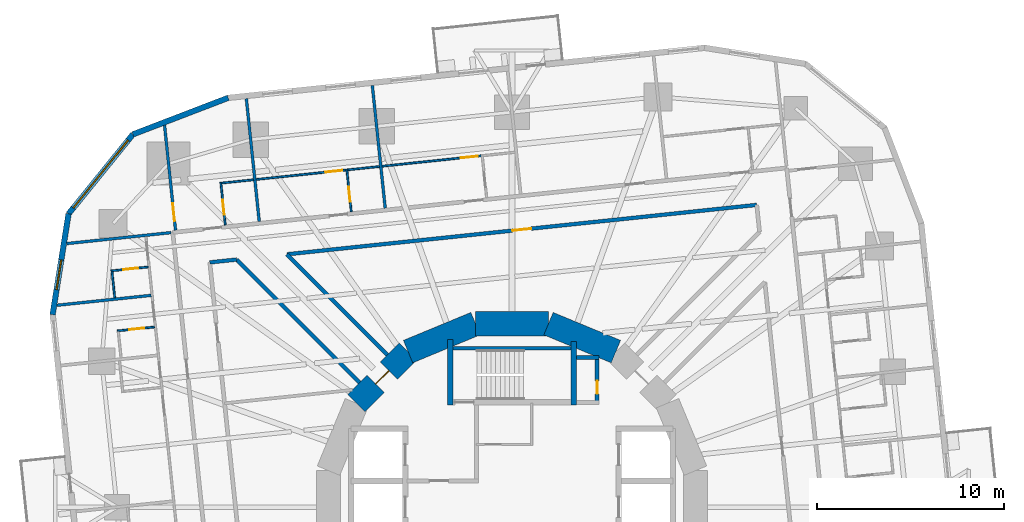
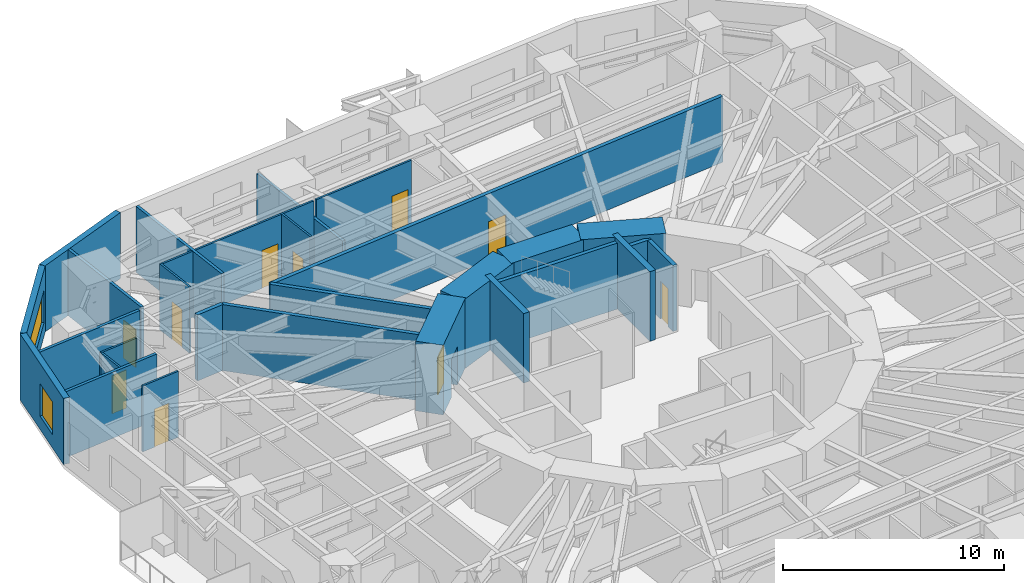
# One storey, part 10 of 14: 30 walls, 10 doors, 2 windows, 12 openings.
"""IFC4 building model written with IfcOpenShell, lengths in metres."""

from ifc_helpers import new_model, si_unit, direction, frame, frame_2d, origin, place, context, subcontext, project, spatial, rectangle, extrude, material, layer, layer_set, type_object, element, fill, save


model = new_model("IFC4")

# Units and contexts
model_context = context("Model", 3, precision=1e-05, world=origin(), true_north=direction((0.0, 1.0)))
body_context = subcontext(model_context, "Body", "Model", "MODEL_VIEW")
ifc_project = project(units=[si_unit("LENGTHUNIT", "METRE"), si_unit("AREAUNIT", "SQUARE_METRE"), si_unit("VOLUMEUNIT", "CUBIC_METRE"), si_unit("PLANEANGLEUNIT", "RADIAN"), si_unit("MASSUNIT", "GRAM", prefix="KILO")], contexts=[model_context])

# Site, building, storey
site_placement = place(None, origin())
site = spatial("IfcSite", under=ifc_project, at=site_placement, CompositionType="ELEMENT")
building_placement = place(site_placement, origin())
building = spatial("IfcBuilding", under=site, at=building_placement, Name="Nakasero Lantern House", CompositionType="ELEMENT")
storey_placement = place(building_placement, frame((0.0, 0.0, 87.449951171875)))
storey = spatial("IfcBuildingStorey", under=building, at=storey_placement, Name="L21", CompositionType="ELEMENT", Elevation=87.449951171875)

# Walls
ifc_material_1 = material(Name="Concrete C50/60", Category="concrete")
ifc_layer_1 = layer(ifc_material_1, 0.300048828125)
ifc_layer_set_1 = layer_set([ifc_layer_1], Name="Core inner wall 300")
wall_type_1 = type_object("IfcWallType", Name="Core inner wall 300", PredefinedType="SHEAR", material=ifc_layer_set_1)
wall_1_placement = place(storey_placement, frame((-3.300048828125, 5.449951171875, 0.0), z_axis=(0.0, 0.0, 1.0), x_axis=(0.0, 1.0, 0.0)))
element("IfcWall", 1, at=wall_1_placement, inside=storey, type_object=wall_type_1, Name="Core inner wall L21 SNW", PredefinedType="SHEAR", context=body_context, shape_type="SweptSolid", body=[
    extrude(rectangle(XDim=3.5, YDim=0.300048828125, at=frame_2d((1.75, 0.0))), origin(), (0.0, 0.0, 1.0), 3.85009765625),
])
wall_2_placement = place(storey_placement, frame((3.300048828125, 5.449951171875, 0.0), z_axis=(0.0, 0.0, 1.0), x_axis=(0.0, 1.0, 0.0)))
element("IfcWall", 2, at=wall_2_placement, inside=storey, type_object=wall_type_1, Name="Core inner wall L21 SNE", PredefinedType="SHEAR", context=body_context, shape_type="SweptSolid", body=[
    extrude(rectangle(XDim=3.400146484375, YDim=0.300048828125, at=frame_2d((1.7001953125, 0.0))), origin(), (0.0, 0.0, 1.0), 3.85009765625),
])
ifc_material_2 = material(Name="Concrete C50/60", Category="concrete")
ifc_layer_2 = layer(ifc_material_2, 1.300048828125)
ifc_layer_set_2 = layer_set([ifc_layer_2], Name="Core wall 1300")
wall_type_2 = type_object("IfcWallType", Name="Core wall 1300", PredefinedType="SHEAR", material=ifc_layer_set_2)
for number, where, z_axis, x_axis, name in (
    (3, (5.5556640625, 8.314697265625, 0.0), (0.0, 0.0, 1.0), (-0.923876507187, 0.382690736062, 0.0), "Core wall L21 facet 3"),
    (4, (1.950927734375, 9.807861328125, 0.0), (0.0, 0.0, 1.0), (-1.0, 0.0, 0.0), "Core wall L21 facet 4"),
    (5, (-1.950927734375, 9.807861328125, 0.0), (0.0, 0.0, 1.0), (-0.923876507187, -0.382690736062, 0.0), "Core wall L21 facet 5"),
):
    element("IfcWall", number, at=place(storey_placement, frame(where, z_axis=z_axis, x_axis=x_axis)), inside=storey, type_object=wall_type_2, Name=name, PredefinedType="SHEAR", context=body_context, shape_type="SweptSolid", body=[
        extrude(rectangle(XDim=3.90185546875, YDim=1.300048828125, at=frame_2d((1.950927734375, 0.0))), origin(), (0.0, 0.0, 1.0), 3.85009765625),
    ])

# Wall, opening, door
wall_3_placement = place(storey_placement, frame((-5.5556640625, 8.314697265625, 0.0), z_axis=(0.0, 0.0, 1.0), x_axis=(-0.707106781187, -0.707106781187, 0.0)))
wall_3 = element("IfcWall", 6, at=wall_3_placement, inside=storey, type_object=wall_type_2, Name="Core wall L21 facet 6", PredefinedType="SHEAR", context=body_context, shape_type="SweptSolid", body=[
    extrude(rectangle(XDim=3.90185546875, YDim=1.300048828125, at=frame_2d((1.950927734375, 0.0))), origin(), (0.0, 0.0, 1.0), 3.85009765625),
])
opening_1_placement = place(wall_3_placement, frame((1.450927734375, 0.0, 0.0)))
opening_1 = element("IfcOpeningElement", 7, at=opening_1_placement, cuts=wall_3, Name="Opening D05", PredefinedType="OPENING", context=body_context, shape_type="SweptSolid", body=[
    extrude(rectangle(XDim=1.0, YDim=2.10009765625, at=frame_2d((0.5, 1.050048828125))), frame((0.0, 0.669921875, 0.0), z_axis=(0.0, -1.0, 0.0), x_axis=(1.0, 0.0, 0.0)), (0.0, 0.0, 1.0), 1.340087890625),
])
ifc_material_3 = material(Name="Timber C24", Category="wood")
door_type_1 = type_object("IfcDoorType", Name="Core door FD60S 1000", OperationType="SINGLE_SWING_LEFT", PredefinedType="DOOR", material=ifc_material_3)
door_1_placement = place(opening_1_placement, origin())
door_1 = element("IfcDoor", 8, at=door_1_placement, inside=storey, type_object=door_type_1, Name="Door L21 D-CORE06", OperationType="SINGLE_SWING_LEFT", OverallHeight=2.10009765625, OverallWidth=1.0, PredefinedType="DOOR", context=body_context, shape_type="SweptSolid", body=[
    extrude(rectangle(XDim=1.0, YDim=2.10009765625, at=frame_2d((0.5, 1.050048828125))), frame((0.0, 0.02490234375, 0.0), z_axis=(0.0, -1.0, 0.0), x_axis=(1.0, 0.0, 0.0)), (0.0, 0.0, 1.0), 0.050048828125),
])
fill(opening_1, door_1)

ifc_material_4 = material(Name="Blockwork", Category="masonry")
ifc_layer_3 = layer(ifc_material_4, 0.199951171875)
ifc_layer_set_3 = layer_set([ifc_layer_3], Name="Corridor wall 200")
wall_type_3 = type_object("IfcWallType", Name="Corridor wall 200", PredefinedType="PARTITIONING", material=ifc_layer_set_3)
wall_4_placement = place(storey_placement, frame((13.0830078125, 16.156005859375, 0.0), z_axis=(0.0, 0.0, 1.0), x_axis=(-0.994521862783, -0.104528773298, 0.0)))
wall_4 = element("IfcWall", 9, at=wall_4_placement, inside=storey, type_object=wall_type_3, Name="Corridor wall L21 IW1-0", PredefinedType="PARTITIONING", context=body_context, shape_type="SweptSolid", body=[
    extrude(rectangle(XDim=25.2529296875, YDim=0.199951171875, at=frame_2d((12.62646484375, 0.0))), origin(), (0.0, 0.0, 1.0), 3.650146484375),
])
opening_2_placement = place(wall_4_placement, frame((12.12646484375, 0.0, 0.0)))
opening_2 = element("IfcOpeningElement", 10, at=opening_2_placement, cuts=wall_4, Name="Opening D07", PredefinedType="OPENING", context=body_context, shape_type="SweptSolid", body=[
    extrude(rectangle(XDim=1.0, YDim=2.10009765625, at=frame_2d((0.5, 1.050048828125))), frame((0.0, 0.119873046875, 0.0), z_axis=(0.0, -1.0, 0.0), x_axis=(1.0, 0.0, 0.0)), (0.0, 0.0, 1.0), 0.239990234375),
])
ifc_material_5 = material(Name="Timber C24", Category="wood")
door_type_2 = type_object("IfcDoorType", Name="Room door FD30S 1000", OperationType="SINGLE_SWING_LEFT", PredefinedType="DOOR", material=ifc_material_5)
door_2_placement = place(opening_2_placement, origin())
door_2 = element("IfcDoor", 11, at=door_2_placement, inside=storey, type_object=door_type_2, Name="Door L21 DI3", OperationType="SINGLE_SWING_RIGHT", OverallHeight=2.10009765625, OverallWidth=1.0, PredefinedType="DOOR", context=body_context, shape_type="SweptSolid", body=[
    extrude(rectangle(XDim=1.0, YDim=2.10009765625, at=frame_2d((0.5, 1.050048828125))), frame((0.0, 0.02490234375, 0.0), z_axis=(0.0, -1.0, 0.0), x_axis=(1.0, 0.0, 0.0)), (0.0, 0.0, 1.0), 0.050048828125),
])
fill(opening_2, door_2)

# Walls
wall_5_placement = place(storey_placement, frame((-14.718994140625, 13.23388671875, 0.0), z_axis=(0.0, 0.0, 1.0), x_axis=(-0.994533193131, -0.104420916302, 0.0)))
element("IfcWall", 12, at=wall_5_placement, inside=storey, type_object=wall_type_3, Name="Corridor wall L21 IW1-1", PredefinedType="PARTITIONING", context=body_context, shape_type="SweptSolid", body=[
    extrude(rectangle(XDim=1.44482421875, YDim=0.199951171875, at=frame_2d((0.722412109375, 0.0))), origin(), (0.0, 0.0, 1.0), 3.650146484375),
])
wall_6_placement = place(storey_placement, frame((-8.13720703125, 6.65234375, 0.0), z_axis=(0.0, 0.0, 1.0), x_axis=(-0.707119895793, 0.707093666337, 0.0)))
element("IfcWall", 13, at=wall_6_placement, inside=storey, type_object=wall_type_3, Name="Corridor wall L21 PS06a", PredefinedType="PARTITIONING", context=body_context, shape_type="SweptSolid", body=[
    extrude(rectangle(XDim=9.307861328125, YDim=0.199951171875, at=frame_2d((4.65380859375, 0.0))), origin(), (0.0, 0.0, 1.0), 3.650146484375),
])
wall_7_placement = place(storey_placement, frame((-6.65234375, 8.13720703125, 0.0), z_axis=(0.0, 0.0, 1.0), x_axis=(-0.707106781187, 0.707106781187, 0.0)))
element("IfcWall", 14, at=wall_7_placement, inside=storey, type_object=wall_type_3, Name="Corridor wall L21 PS06b", PredefinedType="PARTITIONING", context=body_context, shape_type="SweptSolid", body=[
    extrude(rectangle(XDim=7.607177734375, YDim=0.199951171875, at=frame_2d((3.8037109375, 0.0))), origin(), (0.0, 0.0, 1.0), 3.650146484375),
])

# Wall, opening, door
ifc_material_6 = material(Name="Blockwork", Category="masonry")
ifc_layer_4 = layer(ifc_material_6, 0.10009765625)
ifc_layer_set_4 = layer_set([ifc_layer_4], Name="En-suite wall 100")
wall_type_4 = type_object("IfcWallType", Name="En-suite wall 100", PredefinedType="PARTITIONING", material=ifc_layer_set_4)
wall_8_placement = place(storey_placement, frame((-8.592529296875, 15.788330078125, 0.0), z_axis=(0.0, 0.0, 1.0), x_axis=(-0.104452703326, 0.994529855142, 0.0)))
wall_8 = element("IfcWall", 15, at=wall_8_placement, inside=storey, type_object=wall_type_4, Name="En-suite wall L21 ES1-06", PredefinedType="PARTITIONING", context=body_context, shape_type="SweptSolid", body=[
    extrude(rectangle(XDim=2.300048828125, YDim=0.10009765625, at=frame_2d((1.14990234375, 0.0))), origin(), (0.0, 0.0, 1.0), 3.650146484375),
])
opening_3_placement = place(wall_8_placement, frame((0.550048828125, 0.0, 0.0)))
opening_3 = element("IfcOpeningElement", 16, at=opening_3_placement, cuts=wall_8, Name="Opening D02", PredefinedType="OPENING", context=body_context, shape_type="SweptSolid", body=[
    extrude(rectangle(XDim=0.800048828125, YDim=2.10009765625, at=frame_2d((0.39990234375, 1.050048828125))), frame((0.0, 0.070068359375, 0.0), z_axis=(0.0, -1.0, 0.0), x_axis=(1.0, 0.0, 0.0)), (0.0, 0.0, 1.0), 0.14013671875),
])
ifc_material_7 = material(Name="Timber C24", Category="wood")
door_type_3 = type_object("IfcDoorType", Name="En-suite door 800", OperationType="SINGLE_SWING_RIGHT", PredefinedType="DOOR", material=ifc_material_7)
door_3_placement = place(opening_3_placement, origin())
door_3 = element("IfcDoor", 17, at=door_3_placement, inside=storey, type_object=door_type_3, Name="Door L21 DE1-06", OperationType="SINGLE_SWING_LEFT", OverallHeight=2.10009765625, OverallWidth=0.800048828125, PredefinedType="DOOR", context=body_context, shape_type="SweptSolid", body=[
    extrude(rectangle(XDim=0.800048828125, YDim=2.10009765625, at=frame_2d((0.39990234375, 1.050048828125))), frame((0.0, 0.02490234375, 0.0), z_axis=(0.0, -1.0, 0.0), x_axis=(1.0, 0.0, 0.0)), (0.0, 0.0, 1.0), 0.050048828125),
])
fill(opening_3, door_3)

# Wall
wall_9_placement = place(storey_placement, frame((-7.087158203125, 18.208984375, 0.0), z_axis=(0.0, 0.0, 1.0), x_axis=(-0.994519608382, -0.104550220202, 0.0)))
element("IfcWall", 18, at=wall_9_placement, inside=storey, type_object=wall_type_4, Name="En-suite wall L21 EE1-06", PredefinedType="PARTITIONING", context=body_context, shape_type="SweptSolid", body=[
    extrude(rectangle(XDim=1.699951171875, YDim=0.10009765625, at=frame_2d((0.85009765625, 0.0))), origin(), (0.0, 0.0, 1.0), 3.650146484375),
])

# Wall, opening, door
wall_10_placement = place(storey_placement, frame((-15.326416015625, 15.08056640625, 0.0), z_axis=(0.0, 0.0, 1.0), x_axis=(-0.104557694553, 0.994518822602, 0.0)))
wall_10 = element("IfcWall", 19, at=wall_10_placement, inside=storey, type_object=wall_type_4, Name="En-suite wall L21 ES1-08", PredefinedType="PARTITIONING", context=body_context, shape_type="SweptSolid", body=[
    extrude(rectangle(XDim=2.300048828125, YDim=0.10009765625, at=frame_2d((1.14990234375, 0.0))), origin(), (0.0, 0.0, 1.0), 3.650146484375),
])
opening_4_placement = place(wall_10_placement, frame((0.550048828125, 0.0, 0.0)))
opening_4 = element("IfcOpeningElement", 20, at=opening_4_placement, cuts=wall_10, Name="Opening D02", PredefinedType="OPENING", context=body_context, shape_type="SweptSolid", body=[
    extrude(rectangle(XDim=0.800048828125, YDim=2.10009765625, at=frame_2d((0.39990234375, 1.050048828125))), frame((0.0, 0.070068359375, 0.0), z_axis=(0.0, -1.0, 0.0), x_axis=(1.0, 0.0, 0.0)), (0.0, 0.0, 1.0), 0.14013671875),
])
door_4_placement = place(opening_4_placement, origin())
door_4 = element("IfcDoor", 21, at=door_4_placement, inside=storey, type_object=door_type_3, Name="Door L21 DE1-08", OperationType="SINGLE_SWING_LEFT", OverallHeight=2.10009765625, OverallWidth=0.800048828125, PredefinedType="DOOR", context=body_context, shape_type="SweptSolid", body=[
    extrude(rectangle(XDim=0.800048828125, YDim=2.10009765625, at=frame_2d((0.39990234375, 1.050048828125))), frame((0.0, 0.02490234375, 0.0), z_axis=(0.0, -1.0, 0.0), x_axis=(1.0, 0.0, 0.0)), (0.0, 0.0, 1.0), 0.050048828125),
])
fill(opening_4, door_4)

# Wall
wall_11_placement = place(storey_placement, frame((-13.8212890625, 17.501220703125, 0.0), z_axis=(0.0, 0.0, 1.0), x_axis=(-0.994519608382, -0.104550220202, 0.0)))
element("IfcWall", 22, at=wall_11_placement, inside=storey, type_object=wall_type_4, Name="En-suite wall L21 EE1-08", PredefinedType="PARTITIONING", context=body_context, shape_type="SweptSolid", body=[
    extrude(rectangle(XDim=1.699951171875, YDim=0.10009765625, at=frame_2d((0.85009765625, 0.0))), origin(), (0.0, 0.0, 1.0), 3.650146484375),
])

# Wall, opening, door
wall_12_placement = place(storey_placement, frame((-19.448486328125, 12.837158203125, 0.0), z_axis=(0.0, 0.0, 1.0), x_axis=(-0.99452550138, -0.104494148666, 0.0)))
wall_12 = element("IfcWall", 23, at=wall_12_placement, inside=storey, type_object=wall_type_4, Name="En-suite wall L21 ES2-00", PredefinedType="PARTITIONING", context=body_context, shape_type="SweptSolid", body=[
    extrude(rectangle(XDim=2.0, YDim=0.10009765625, at=frame_2d((1.0, 0.0))), origin(), (0.0, 0.0, 1.0), 3.650146484375),
])
opening_5_placement = place(wall_12_placement, frame((0.550048828125, 0.0, 0.0)))
opening_5 = element("IfcOpeningElement", 24, at=opening_5_placement, cuts=wall_12, Name="Opening D02", PredefinedType="OPENING", context=body_context, shape_type="SweptSolid", body=[
    extrude(rectangle(XDim=0.800048828125, YDim=2.10009765625, at=frame_2d((0.39990234375, 1.050048828125))), frame((0.0, 0.070068359375, 0.0), z_axis=(0.0, -1.0, 0.0), x_axis=(1.0, 0.0, 0.0)), (0.0, 0.0, 1.0), 0.14013671875),
])
door_5_placement = place(opening_5_placement, origin())
door_5 = element("IfcDoor", 25, at=door_5_placement, inside=storey, type_object=door_type_3, Name="Door L21 DE2-00", OperationType="SINGLE_SWING_LEFT", OverallHeight=2.10009765625, OverallWidth=0.800048828125, PredefinedType="DOOR", context=body_context, shape_type="SweptSolid", body=[
    extrude(rectangle(XDim=0.800048828125, YDim=2.10009765625, at=frame_2d((0.39990234375, 1.050048828125))), frame((0.0, 0.02490234375, 0.0), z_axis=(0.0, -1.0, 0.0), x_axis=(1.0, 0.0, 0.0)), (0.0, 0.0, 1.0), 0.050048828125),
])
fill(opening_5, door_5)

# Wall
wall_13_placement = place(storey_placement, frame((-21.382568359375, 12.58349609375, 0.0), z_axis=(0.0, 0.0, 1.0), x_axis=(0.104630319263, -0.994511184598, 0.0)))
element("IfcWall", 26, at=wall_13_placement, inside=storey, type_object=wall_type_4, Name="En-suite wall L21 EE2-00", PredefinedType="PARTITIONING", context=body_context, shape_type="SweptSolid", body=[
    extrude(rectangle(XDim=1.39990234375, YDim=0.10009765625, at=frame_2d((0.699951171875, 0.0))), origin(), (0.0, 0.0, 1.0), 3.650146484375),
])

# Wall, opening, door
wall_14_placement = place(storey_placement, frame((-19.111328125, 9.62939453125, 0.0), z_axis=(0.0, 0.0, 1.0), x_axis=(-0.99452550138, -0.104494148666, 0.0)))
wall_14 = element("IfcWall", 27, at=wall_14_placement, inside=storey, type_object=wall_type_4, Name="En-suite wall L21 ES2-01", PredefinedType="PARTITIONING", context=body_context, shape_type="SweptSolid", body=[
    extrude(rectangle(XDim=2.0, YDim=0.10009765625, at=frame_2d((1.0, 0.0))), origin(), (0.0, 0.0, 1.0), 3.650146484375),
])
opening_6_placement = place(wall_14_placement, frame((0.550048828125, 0.0, 0.0)))
opening_6 = element("IfcOpeningElement", 28, at=opening_6_placement, cuts=wall_14, Name="Opening D02", PredefinedType="OPENING", context=body_context, shape_type="SweptSolid", body=[
    extrude(rectangle(XDim=0.800048828125, YDim=2.10009765625, at=frame_2d((0.39990234375, 1.050048828125))), frame((0.0, 0.070068359375, 0.0), z_axis=(0.0, -1.0, 0.0), x_axis=(1.0, 0.0, 0.0)), (0.0, 0.0, 1.0), 0.14013671875),
])
door_6_placement = place(opening_6_placement, origin())
door_6 = element("IfcDoor", 29, at=door_6_placement, inside=storey, type_object=door_type_3, Name="Door L21 DE2-01", OperationType="SINGLE_SWING_LEFT", OverallHeight=2.10009765625, OverallWidth=0.800048828125, PredefinedType="DOOR", context=body_context, shape_type="SweptSolid", body=[
    extrude(rectangle(XDim=0.800048828125, YDim=2.10009765625, at=frame_2d((0.39990234375, 1.050048828125))), frame((0.0, 0.02490234375, 0.0), z_axis=(0.0, -1.0, 0.0), x_axis=(1.0, 0.0, 0.0)), (0.0, 0.0, 1.0), 0.050048828125),
])
fill(opening_6, door_6)

wall_15_placement = place(storey_placement, frame((-1.639892578125, 18.781494140625, 0.0), z_axis=(0.0, 0.0, 1.0), x_axis=(-0.994521261767, -0.10453449141, 0.0)))
wall_15 = element("IfcWall", 30, at=wall_15_placement, inside=storey, type_object=wall_type_4, Name="En-suite wall L21 EL1-04", PredefinedType="PARTITIONING", context=body_context, shape_type="SweptSolid", body=[
    extrude(rectangle(XDim=5.327392578125, YDim=0.10009765625, at=frame_2d((2.66357421875, 0.0))), origin(), (0.0, 0.0, 1.0), 3.650146484375),
])
opening_7_placement = place(wall_15_placement, frame((0.199951171875, 0.0, 0.0)))
opening_7 = element("IfcOpeningElement", 31, at=opening_7_placement, cuts=wall_15, Name="Opening D17", PredefinedType="OPENING", context=body_context, shape_type="SweptSolid", body=[
    extrude(rectangle(XDim=0.89990234375, YDim=2.10009765625, at=frame_2d((0.449951171875, 1.050048828125))), frame((0.0, 0.070068359375, 0.0), z_axis=(0.0, -1.0, 0.0), x_axis=(1.0, 0.0, 0.0)), (0.0, 0.0, 1.0), 0.14013671875),
])
ifc_material_8 = material(Name="Timber C24", Category="wood")
door_type_4 = type_object("IfcDoorType", Name="Bedroom door FD30S 900", OperationType="SINGLE_SWING_LEFT", PredefinedType="DOOR", material=ifc_material_8)
door_7_placement = place(opening_7_placement, origin())
door_7 = element("IfcDoor", 32, at=door_7_placement, inside=storey, type_object=door_type_4, Name="Door L21 DL1-04", OperationType="SINGLE_SWING_LEFT", OverallHeight=2.10009765625, OverallWidth=0.89990234375, PredefinedType="DOOR", context=body_context, shape_type="SweptSolid", body=[
    extrude(rectangle(XDim=0.89990234375, YDim=2.10009765625, at=frame_2d((0.449951171875, 1.050048828125))), frame((0.0, 0.02490234375, 0.0), z_axis=(0.0, -1.0, 0.0), x_axis=(1.0, 0.0, 0.0)), (0.0, 0.0, 1.0), 0.050048828125),
])
fill(opening_7, door_7)

wall_16_placement = place(storey_placement, frame((-8.87744140625, 18.020751953125, 0.0), z_axis=(0.0, 0.0, 1.0), x_axis=(-0.994522643282, -0.104521347102, 0.0)))
wall_16 = element("IfcWall", 33, at=wall_16_placement, inside=storey, type_object=wall_type_4, Name="En-suite wall L21 EL1-06", PredefinedType="PARTITIONING", context=body_context, shape_type="SweptSolid", body=[
    extrude(rectangle(XDim=4.821044921875, YDim=0.10009765625, at=frame_2d((2.41064453125, 0.0))), origin(), (0.0, 0.0, 1.0), 3.650146484375),
])
opening_8_placement = place(wall_16_placement, frame((0.199951171875, 0.0, 0.0)))
opening_8 = element("IfcOpeningElement", 34, at=opening_8_placement, cuts=wall_16, Name="Opening D17", PredefinedType="OPENING", context=body_context, shape_type="SweptSolid", body=[
    extrude(rectangle(XDim=0.89990234375, YDim=2.10009765625, at=frame_2d((0.449951171875, 1.050048828125))), frame((0.0, 0.070068359375, 0.0), z_axis=(0.0, -1.0, 0.0), x_axis=(1.0, 0.0, 0.0)), (0.0, 0.0, 1.0), 0.14013671875),
])
door_8_placement = place(opening_8_placement, origin())
door_8 = element("IfcDoor", 35, at=door_8_placement, inside=storey, type_object=door_type_4, Name="Door L21 DL1-06", OperationType="SINGLE_SWING_LEFT", OverallHeight=2.10009765625, OverallWidth=0.89990234375, PredefinedType="DOOR", context=body_context, shape_type="SweptSolid", body=[
    extrude(rectangle(XDim=0.89990234375, YDim=2.10009765625, at=frame_2d((0.449951171875, 1.050048828125))), frame((0.0, 0.02490234375, 0.0), z_axis=(0.0, -1.0, 0.0), x_axis=(1.0, 0.0, 0.0)), (0.0, 0.0, 1.0), 0.050048828125),
])
fill(opening_8, door_8)

# Wall
ifc_material_9 = material(Name="Aluminium rainscreen on blockwork", Category="masonry")
ifc_layer_5 = layer(ifc_material_9, 0.300048828125)
ifc_layer_set_5 = layer_set([ifc_layer_5], Name="Facade wall 300")
wall_type_5 = type_object("IfcWallType", Name="Facade wall 300", PredefinedType="SOLIDWALL", material=ifc_layer_set_5)
wall_17_placement = place(storey_placement, frame((-15.170654296875, 21.884033203125, 0.0), z_axis=(0.0, 0.0, 1.0), x_axis=(-0.933583906079, -0.358358884793, 0.0)))
element("IfcWall", 36, at=wall_17_placement, inside=storey, type_object=wall_type_5, Name="Facade wall L21 FW1C1", PredefinedType="SOLIDWALL", context=body_context, shape_type="SweptSolid", body=[
    extrude(rectangle(XDim=5.461181640625, YDim=0.300048828125, at=frame_2d((2.73046875, 0.0))), origin(), (0.0, 0.0, 1.0), 3.650146484375),
])

# Wall, opening, window
wall_18_placement = place(storey_placement, frame((-20.26904296875, 19.927001953125, 0.0), z_axis=(0.0, 0.0, 1.0), x_axis=(-0.629334543442, -0.777134500863, 0.0)))
wall_18 = element("IfcWall", 37, at=wall_18_placement, inside=storey, type_object=wall_type_5, Name="Facade wall L21 FW1C2", PredefinedType="SOLIDWALL", context=body_context, shape_type="SweptSolid", body=[
    extrude(rectangle(XDim=5.4609375, YDim=0.300048828125, at=frame_2d((2.73046875, 0.0))), origin(), (0.0, 0.0, 1.0), 3.650146484375),
])
opening_9_placement = place(wall_18_placement, frame((0.39990234375, 0.0, 0.75)))
opening_9 = element("IfcOpeningElement", 38, at=opening_9_placement, cuts=wall_18, Name="Opening W246", PredefinedType="OPENING", context=body_context, shape_type="SweptSolid", body=[
    extrude(rectangle(XDim=4.660888671875, YDim=1.800048828125, at=frame_2d((2.33056640625, 0.89990234375))), frame((0.0, 0.169921875, 0.0), z_axis=(0.0, -1.0, 0.0), x_axis=(1.0, 0.0, 0.0)), (0.0, 0.0, 1.0), 0.340087890625),
])
ifc_material_10 = material(Name="Aluminium 6063-T6 and glass", Category="aluminium")
window_type_1 = type_object("IfcWindowType", Name="Corner window 4661x1800", PartitioningType="SINGLE_PANEL", PredefinedType="WINDOW", material=ifc_material_10)
window_1_placement = place(opening_9_placement, origin())
window_1 = element("IfcWindow", 39, at=window_1_placement, inside=storey, type_object=window_type_1, Name="Window L21 WC1", OverallHeight=1.800048828125, OverallWidth=4.660888671875, PartitioningType="SINGLE_PANEL", PredefinedType="WINDOW", context=body_context, shape_type="SweptSolid", body=[
    extrude(rectangle(XDim=4.660888671875, YDim=1.800048828125, at=frame_2d((2.33056640625, 0.89990234375))), frame((0.0, 0.030029296875, 0.0), z_axis=(0.0, -1.0, 0.0), x_axis=(1.0, 0.0, 0.0)), (0.0, 0.0, 1.0), 0.06005859375),
])
fill(opening_9, window_1)

wall_19_placement = place(storey_placement, frame((-23.705810546875, 15.68310546875, 0.0), z_axis=(0.0, 0.0, 1.0), x_axis=(-0.156419383601, -0.987690729142, 0.0)))
wall_19 = element("IfcWall", 40, at=wall_19_placement, inside=storey, type_object=wall_type_5, Name="Facade wall L21 FW1C3", PredefinedType="SOLIDWALL", context=body_context, shape_type="SweptSolid", body=[
    extrude(rectangle(XDim=5.461181640625, YDim=0.300048828125, at=frame_2d((2.73046875, 0.0))), origin(), (0.0, 0.0, 1.0), 3.650146484375),
])
opening_10_placement = place(wall_19_placement, frame((2.5, 0.0, 0.75)))
opening_10 = element("IfcOpeningElement", 41, at=opening_10_placement, cuts=wall_19, Name="Opening W01", PredefinedType="OPENING", context=body_context, shape_type="SweptSolid", body=[
    extrude(rectangle(XDim=1.60009765625, YDim=1.800048828125, at=frame_2d((0.800048828125, 0.89990234375))), frame((0.0, 0.169921875, 0.0), z_axis=(0.0, -1.0, 0.0), x_axis=(1.0, 0.0, 0.0)), (0.0, 0.0, 1.0), 0.340087890625),
])
ifc_material_11 = material(Name="Aluminium 6063-T6 and glass", Category="aluminium")
window_type_2 = type_object("IfcWindowType", Name="Bedroom window 1600x1800", PartitioningType="SINGLE_PANEL", PredefinedType="WINDOW", material=ifc_material_11)
window_2_placement = place(opening_10_placement, origin())
window_2 = element("IfcWindow", 42, at=window_2_placement, inside=storey, type_object=window_type_2, Name="Window L21 WN2-00", OverallHeight=1.800048828125, OverallWidth=1.60009765625, PartitioningType="SINGLE_PANEL", PredefinedType="WINDOW", context=body_context, shape_type="SweptSolid", body=[
    extrude(rectangle(XDim=1.60009765625, YDim=1.800048828125, at=frame_2d((0.800048828125, 0.89990234375))), frame((0.0, 0.030029296875, 0.0), z_axis=(0.0, -1.0, 0.0), x_axis=(1.0, 0.0, 0.0)), (0.0, 0.0, 1.0), 0.06005859375),
])
fill(opening_10, window_2)

# Wall, opening, door
ifc_material_12 = material(Name="Blockwork", Category="masonry")
ifc_layer_6 = layer(ifc_material_12, 0.199951171875)
ifc_layer_set_6 = layer_set([ifc_layer_6], Name="Fire lobby wall 200")
wall_type_6 = type_object("IfcWallType", Name="Fire lobby wall 200", PredefinedType="PARTITIONING", material=ifc_layer_set_6)
wall_20_placement = place(storey_placement, frame((4.550048828125, 5.60009765625, 0.0), z_axis=(0.0, 0.0, 1.0), x_axis=(0.0, 1.0, 0.0)))
wall_20 = element("IfcWall", 43, at=wall_20_placement, inside=storey, type_object=wall_type_6, Name="Fire lobby wall L21 W-RS1E", PredefinedType="PARTITIONING", context=body_context, shape_type="SweptSolid", body=[
    extrude(rectangle(XDim=2.39990234375, YDim=0.199951171875, at=frame_2d((1.199951171875, 0.0))), origin(), (0.0, 0.0, 1.0), 3.650146484375),
])
opening_11_placement = place(wall_20_placement, frame((0.449951171875, 0.0, 0.0)))
opening_11 = element("IfcOpeningElement", 44, at=opening_11_placement, cuts=wall_20, Name="Opening D06", PredefinedType="OPENING", context=body_context, shape_type="SweptSolid", body=[
    extrude(rectangle(XDim=0.699951171875, YDim=2.10009765625, at=frame_2d((0.35009765625, 1.050048828125))), frame((0.0, 0.119873046875, 0.0), z_axis=(0.0, -1.0, 0.0), x_axis=(1.0, 0.0, 0.0)), (0.0, 0.0, 1.0), 0.239990234375),
])
ifc_material_13 = material(Name="Steel S355", Category="steel")
door_type_5 = type_object("IfcDoorType", Name="Riser door FD60 700", OperationType="SINGLE_SWING_LEFT", PredefinedType="DOOR", material=ifc_material_13)
door_9_placement = place(opening_11_placement, origin())
door_9 = element("IfcDoor", 45, at=door_9_placement, inside=storey, type_object=door_type_5, Name="Door L21 D-RS1", OperationType="SINGLE_SWING_LEFT", OverallHeight=2.10009765625, OverallWidth=0.699951171875, PredefinedType="DOOR", context=body_context, shape_type="SweptSolid", body=[
    extrude(rectangle(XDim=0.699951171875, YDim=2.10009765625, at=frame_2d((0.35009765625, 1.050048828125))), frame((0.0, 0.02490234375, 0.0), z_axis=(0.0, -1.0, 0.0), x_axis=(1.0, 0.0, 0.0)), (0.0, 0.0, 1.0), 0.050048828125),
])
fill(opening_11, door_9)

# Walls
wall_21_placement = place(storey_placement, frame((3.449951171875, 8.0, 0.0), z_axis=(0.0, 0.0, 1.0), x_axis=(1.0, 0.0, 0.0)))
element("IfcWall", 46, at=wall_21_placement, inside=storey, type_object=wall_type_6, Name="Fire lobby wall L21 W-RS1N", PredefinedType="PARTITIONING", context=body_context, shape_type="SweptSolid", body=[
    extrude(rectangle(XDim=1.199951171875, YDim=0.199951171875, at=frame_2d((0.60009765625, 0.0))), origin(), (0.0, 0.0, 1.0), 3.650146484375),
])
wall_22_placement = place(storey_placement, frame((-3.300048828125, 8.5, 0.0), z_axis=(0.0, 0.0, 1.0), x_axis=(1.0, 0.0, 0.0)))
element("IfcWall", 47, at=wall_22_placement, inside=storey, type_object=wall_type_6, Name="Fire lobby wall L21 W-STN", PredefinedType="PARTITIONING", context=body_context, shape_type="SweptSolid", body=[
    extrude(rectangle(XDim=6.60009765625, YDim=0.199951171875, at=frame_2d((3.300048828125, 0.0))), origin(), (0.0, 0.0, 1.0), 3.650146484375),
])
ifc_material_14 = material(Name="Blockwork", Category="masonry")
ifc_layer_7 = layer(ifc_material_14, 0.14990234375)
ifc_layer_set_7 = layer_set([ifc_layer_7], Name="Party wall 150")
wall_type_7 = type_object("IfcWallType", Name="Party wall 150", PredefinedType="PARTITIONING", material=ifc_layer_set_7)
wall_23_placement = place(storey_placement, frame((-6.77734375, 15.97900390625, 0.0), z_axis=(0.0, 0.0, 1.0), x_axis=(-0.104534592565, 0.994521251134, 0.0)))
element("IfcWall", 48, at=wall_23_placement, inside=storey, type_object=wall_type_7, Name="Party wall L21 PW1-06", PredefinedType="PARTITIONING", context=body_context, shape_type="SweptSolid", body=[
    extrude(rectangle(XDim=6.60009765625, YDim=0.14990234375, at=frame_2d((3.300048828125, 0.0))), origin(), (0.0, 0.0, 1.0), 2.669921875),
])
wall_24_placement = place(storey_placement, frame((-13.511474609375, 15.271240234375, 0.0), z_axis=(0.0, 0.0, 1.0), x_axis=(-0.104534592565, 0.994521251134, 0.0)))
element("IfcWall", 49, at=wall_24_placement, inside=storey, type_object=wall_type_7, Name="Party wall L21 PW1-08", PredefinedType="PARTITIONING", context=body_context, shape_type="SweptSolid", body=[
    extrude(rectangle(XDim=6.60009765625, YDim=0.14990234375, at=frame_2d((3.300048828125, 0.0))), origin(), (0.0, 0.0, 1.0), 3.650146484375),
])

# Wall, opening, door
wall_25_placement = place(storey_placement, frame((-17.9853515625, 14.801025390625, 0.0), z_axis=(0.0, 0.0, 1.0), x_axis=(-0.104520320471, 0.994522751177, 0.0)))
wall_25 = element("IfcWall", 50, at=wall_25_placement, inside=storey, type_object=wall_type_7, Name="Party wall L21 PC1", PredefinedType="PARTITIONING", context=body_context, shape_type="SweptSolid", body=[
    extrude(rectangle(XDim=5.64111328125, YDim=0.14990234375, at=frame_2d((2.820556640625, 0.0))), origin(), (0.0, 0.0, 1.0), 3.650146484375),
])
opening_12_placement = place(wall_25_placement, frame((0.5, 0.0, 0.0)))
opening_12 = element("IfcOpeningElement", 51, at=opening_12_placement, cuts=wall_25, Name="Opening D01", PredefinedType="OPENING", context=body_context, shape_type="SweptSolid", body=[
    extrude(rectangle(XDim=0.949951171875, YDim=2.10009765625, at=frame_2d((0.47509765625, 1.050048828125))), frame((0.0, 0.094970703125, 0.0), z_axis=(0.0, -1.0, 0.0), x_axis=(1.0, 0.0, 0.0)), (0.0, 0.0, 1.0), 0.18994140625),
])
ifc_material_15 = material(Name="Timber C24", Category="wood")
door_type_6 = type_object("IfcDoorType", Name="Bedroom door FD30S 950", OperationType="SINGLE_SWING_LEFT", PredefinedType="DOOR", material=ifc_material_15)
door_10_placement = place(opening_12_placement, origin())
door_10 = element("IfcDoor", 52, at=door_10_placement, inside=storey, type_object=door_type_6, Name="Door L21 DC1", OperationType="SINGLE_SWING_LEFT", OverallHeight=2.10009765625, OverallWidth=0.949951171875, PredefinedType="DOOR", context=body_context, shape_type="SweptSolid", body=[
    extrude(rectangle(XDim=0.949951171875, YDim=2.10009765625, at=frame_2d((0.47509765625, 1.050048828125))), frame((0.0, 0.02490234375, 0.0), z_axis=(0.0, -1.0, 0.0), x_axis=(1.0, 0.0, 0.0)), (0.0, 0.0, 1.0), 0.050048828125),
])
fill(opening_12, door_10)

# Walls
wall_26_placement = place(storey_placement, frame((-18.23388671875, 14.674560546875, 0.0), z_axis=(0.0, 0.0, 1.0), x_axis=(-0.994520498284, -0.104541754786, 0.0)))
element("IfcWall", 53, at=wall_26_placement, inside=storey, type_object=wall_type_7, Name="Party wall L21 PW2-00", PredefinedType="PARTITIONING", context=body_context, shape_type="SweptSolid", body=[
    extrude(rectangle(XDim=5.597900390625, YDim=0.14990234375, at=frame_2d((2.798828125, 0.0))), origin(), (0.0, 0.0, 1.0), 3.650146484375),
])
wall_27_placement = place(storey_placement, frame((-19.2890625, 11.320556640625, 0.0), z_axis=(0.0, 0.0, 1.0), x_axis=(-0.994518658271, -0.104559257608, 0.0)))
element("IfcWall", 54, at=wall_27_placement, inside=storey, type_object=wall_type_7, Name="Party wall L21 PW2-01", PredefinedType="PARTITIONING", context=body_context, shape_type="SweptSolid", body=[
    extrude(rectangle(XDim=5.062255859375, YDim=0.14990234375, at=frame_2d((2.53125, 0.0))), origin(), (0.0, 0.0, 1.0), 3.650146484375),
])

save(model, "model.ifc")
